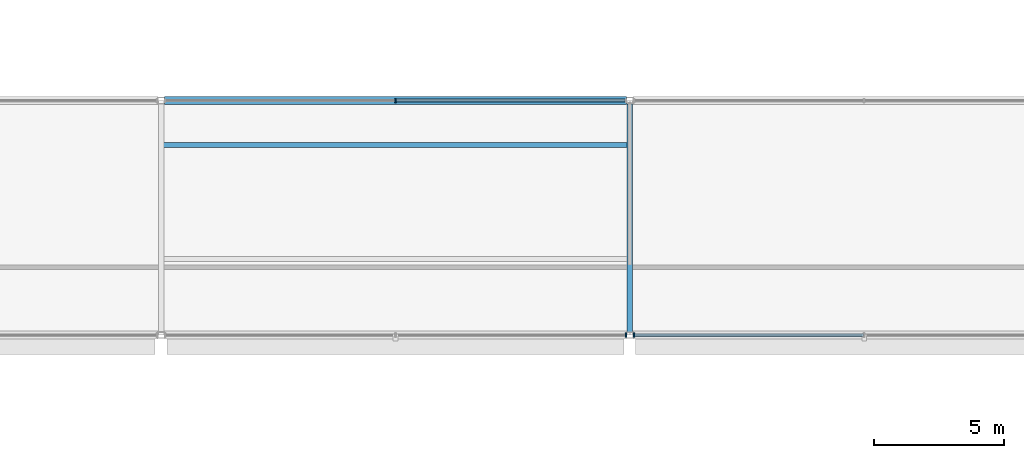
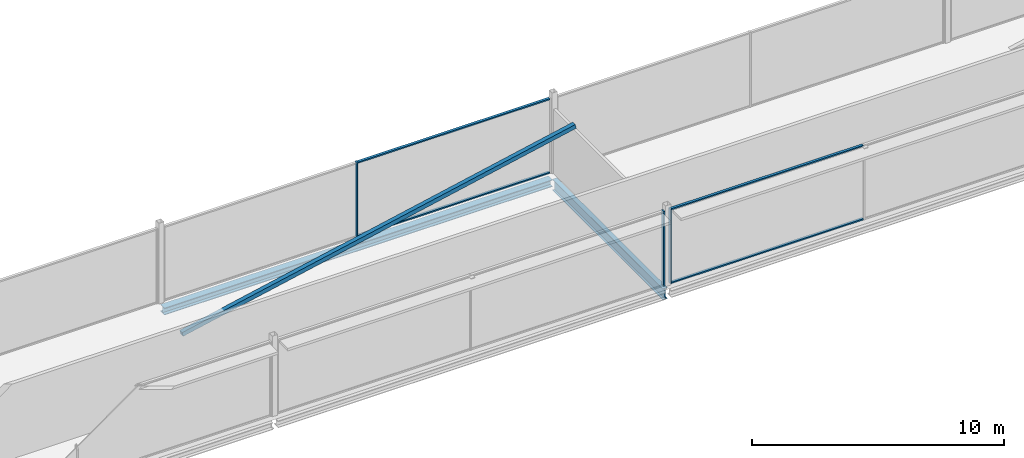
# One storey, part 23 of 98: 8 members, 2 beams, 3 elements without a shape of their own.
"""IFC4 building model written with IfcOpenShell, lengths in metres."""

import ifcopenshell
import ifcopenshell.guid

model = None  # the IFC model being written
_history = None  # IfcOwnerHistory: only IFC2X3 demands one
_inside = {}  # id of a spatial element -> (the spatial element, [elements in it])
_under = {}  # id of a project, library or spatial element -> (it, [spatial elements below it])
_declared = {}  # id of a project -> (the project, [libraries it declares])
_typed = {}  # id of a type object -> (the type object, [elements of that type])
_made_of = {}  # id of a material, layer set ... -> (it, [elements and type objects made of it])


def new_model(schema):
    """Start an empty IFC model of exactly this schema.

    Asked for "IFC4X3", IfcOpenShell would pick the latest addendum, in which some entities
    have other attributes; the version numbers below select the first issue.
    IFC2X3 requires an IfcOwnerHistory on every rooted entity: one is made here for all.
    """
    global model, _history
    if schema == "IFC4X3":
        model = ifcopenshell.file(schema_version=(4, 3, 0, 0))
    else:
        model = ifcopenshell.file(schema=schema)
    _inside.clear()
    _under.clear()
    _declared.clear()
    _typed.clear()
    _made_of.clear()
    _history = None
    if model.schema == "IFC2X3":
        org = make("IfcOrganization", Name="unknown")
        user = make(
            "IfcPersonAndOrganization",
            ThePerson=make("IfcPerson", FamilyName="unknown"),
            TheOrganization=org,
        )
        app = make(
            "IfcApplication",
            ApplicationDeveloper=org,
            Version="unknown",
            ApplicationFullName="unknown",
            ApplicationIdentifier="unknown",
        )
        _history = make(
            "IfcOwnerHistory",
            OwningUser=user,
            OwningApplication=app,
            ChangeAction="ADDED",
            CreationDate=0,
        )
    return model


def make(cls, **values):
    """One entity of the class cls with the attributes given. An attribute that is None is left unset."""
    return model.create_entity(
        cls, **{name: value for name, value in values.items() if value is not None}
    )


def rooted(cls, **values):
    """An entity with a GlobalId (a new one), such as an element, a storey or a relation."""
    return make(cls, GlobalId=ifcopenshell.guid.new(), OwnerHistory=_history, **values)


def si_unit(unit_type, name, prefix=None):
    """IfcSIUnit, for example si_unit("LENGTHUNIT", "METRE", prefix="MILLI")."""
    return make("IfcSIUnit", UnitType=unit_type, Prefix=prefix, Name=name)


def assignment(units):
    """IfcUnitAssignment: the units of a project."""
    return None if units is None else make("IfcUnitAssignment", Units=units)


def point(xyz):
    """IfcCartesianPoint."""
    return None if xyz is None else make("IfcCartesianPoint", Coordinates=xyz)


def direction(xyz):
    """IfcDirection."""
    return None if xyz is None else make("IfcDirection", DirectionRatios=xyz)


def frame(location, z_axis=None, x_axis=None):
    """IfcAxis2Placement3D, a coordinate frame: its origin and axes. An axis left out is left unset."""
    return make(
        "IfcAxis2Placement3D",
        Location=point(location),
        Axis=direction(z_axis),
        RefDirection=direction(x_axis),
    )


def frame_2d(location, x_axis=None):
    """IfcAxis2Placement2D, a coordinate frame in the plane: its origin and x axis."""
    return make(
        "IfcAxis2Placement2D", Location=point(location), RefDirection=direction(x_axis)
    )


def origin():
    """The frame at (0, 0, 0) with its axes left unset."""
    return frame((0.0, 0.0, 0.0))


def origin_2d():
    """The frame at (0, 0) in the plane with its x axis left unset."""
    return frame_2d((0.0, 0.0))


def place(relative_to, where):
    """IfcLocalPlacement: puts the frame where relative to a parent placement (None: the world)."""
    return make(
        "IfcLocalPlacement", PlacementRelTo=relative_to, RelativePlacement=where
    )


def context(
    kind, dimensions, precision=None, world=None, true_north=None, identifier=None
):
    """IfcGeometricRepresentationContext, for example the 3D "Model" context."""
    return make(
        "IfcGeometricRepresentationContext",
        ContextIdentifier=identifier,
        ContextType=kind,
        CoordinateSpaceDimension=dimensions,
        Precision=precision,
        WorldCoordinateSystem=world,
        TrueNorth=true_north,
    )


def subcontext(parent, identifier, kind, view, scale=None):
    """IfcGeometricRepresentationSubContext, for example "Body" below "Model"."""
    return make(
        "IfcGeometricRepresentationSubContext",
        ContextIdentifier=identifier,
        ContextType=kind,
        ParentContext=parent,
        TargetScale=scale,
        TargetView=view,
    )


def project(units=None, contexts=None):
    """IfcProject with its units and contexts."""
    return rooted(
        "IfcProject",
        Name="project",
        RepresentationContexts=contexts,
        UnitsInContext=assignment(units),
    )


def spatial(cls, under=None, at=None, **own):
    """A site, building, storey or space (cls), placed at a placement, below another one or the project."""
    s = rooted(cls, ObjectPlacement=at, **own)
    if under is not None:
        _under.setdefault(under.id(), (under, []))[1].append(s)
    return s


def profile(cls, at=None, kind="AREA", **sizes):
    """A parametric profile (cls). Its sizes go by their IFC names, for example OverallWidth=200.0."""
    return make(cls, ProfileType=kind, Position=at, **sizes)


def rectangle(**sizes):
    """IfcRectangleProfileDef."""
    return profile("IfcRectangleProfileDef", **sizes)


def hollow_rectangle(**sizes):
    """IfcRectangleHollowProfileDef."""
    return profile("IfcRectangleHollowProfileDef", **sizes)


def i_section(**sizes):
    """IfcIShapeProfileDef."""
    return profile("IfcIShapeProfileDef", **sizes)


def extrude(swept, where, along, depth):
    """IfcExtrudedAreaSolid: the profile swept, set in the frame where, extruded along a direction by depth."""
    return make(
        "IfcExtrudedAreaSolid",
        SweptArea=swept,
        Position=where,
        ExtrudedDirection=direction(along),
        Depth=depth,
    )


def shape(context_of_items, identifier, shape_type, items):
    """IfcShapeRepresentation: the items that make up one representation, for example the "Body"."""
    return make(
        "IfcShapeRepresentation",
        ContextOfItems=context_of_items,
        RepresentationIdentifier=identifier,
        RepresentationType=shape_type,
        Items=items,
    )


def material(Name=None, Category=None):
    """IfcMaterial."""
    return make("IfcMaterial", Name=Name, Category=Category)


def layer(
    of_material, thickness, ventilated=None, Name=None, Category=None, Priority=None
):
    """IfcMaterialLayer: one layer of a wall or slab, of a material (None: an air gap)."""
    return make(
        "IfcMaterialLayer",
        Material=of_material,
        LayerThickness=thickness,
        IsVentilated=ventilated,
        Name=Name,
        Category=Category,
        Priority=Priority,
    )


def layer_set(layers, Name=None):
    """IfcMaterialLayerSet."""
    return make("IfcMaterialLayerSet", MaterialLayers=layers, LayerSetName=Name)


def material_profile(
    of_material, cross_section, Name=None, Category=None, Priority=None
):
    """IfcMaterialProfile: a cross section and its material."""
    return make(
        "IfcMaterialProfile",
        Name=Name,
        Material=of_material,
        Profile=cross_section,
        Priority=Priority,
        Category=Category,
    )


def profile_set(profiles, Name=None, composite=None):
    """IfcMaterialProfileSet."""
    return make(
        "IfcMaterialProfileSet",
        Name=Name,
        MaterialProfiles=profiles,
        CompositeProfile=composite,
    )


def made_of(thing, what):
    """Note that an element or type object is made of a material, layer set ...; save() writes the relation."""
    if what is not None:
        _made_of.setdefault(what.id(), (what, []))[1].append(thing)
    return thing


def type_object(cls, material=None, **own):
    """A type object (cls), such as IfcWallType, which elements share."""
    return made_of(rooted(cls, **own), material)


def element(
    cls,
    number,
    at=None,
    inside=None,
    cuts=None,
    type_object=None,
    material=None,
    context=None,
    identifier="Body",
    shape_type=None,
    held_by="IfcProductDefinitionShape",
    body=None,
    shapes=None,
    **own,
):
    """One element of the class cls, such as IfcWall. Its Tag is "e" and its number.

    at: its placement. inside: the storey or other place that contains it. cuts: it is an
    opening in that element (IfcRelVoidsElement). A single representation is given by context,
    identifier, shape_type and body (its items); several are given by shapes. held_by: the class
    of the entity that holds the representations. save() writes the other relations.
    """
    e = rooted(cls, Tag="e%d" % number, ObjectPlacement=at, **own)
    if body is not None:
        shapes = [shape(context, identifier, shape_type, body)]
    if shapes is not None:
        e.Representation = make(held_by, Representations=shapes)
    if inside is not None:
        _inside.setdefault(inside.id(), (inside, []))[1].append(e)
    if cuts is not None:
        rooted(
            "IfcRelVoidsElement", RelatingBuildingElement=cuts, RelatedOpeningElement=e
        )
    if type_object is not None:
        _typed.setdefault(type_object.id(), (type_object, []))[1].append(e)
    return made_of(e, material)


def aggregate(whole, parts):
    """IfcRelAggregates: a whole, such as a stair, and the parts it consists of."""
    return rooted("IfcRelAggregates", RelatingObject=whole, RelatedObjects=parts)


def save(model, path):
    """Write the relations noted so far, then the file.

    IfcRelAggregates (storeys below a building ...), IfcRelContainedInSpatialStructure (elements
    in a storey), IfcRelDefinesByType, IfcRelAssociatesMaterial and IfcRelDeclares: one each for
    every whole, place, type object, material and project.
    """
    for whole, parts in _under.values():
        aggregate(whole, parts)
    for where, things in _inside.values():
        rooted(
            "IfcRelContainedInSpatialStructure",
            RelatedElements=things,
            RelatingStructure=where,
        )
    for kind, things in _typed.values():
        rooted("IfcRelDefinesByType", RelatedObjects=things, RelatingType=kind)
    for what, things in _made_of.values():
        rooted("IfcRelAssociatesMaterial", RelatedObjects=things, RelatingMaterial=what)
    for by, libraries in _declared.values():
        rooted("IfcRelDeclares", RelatingContext=by, RelatedDefinitions=libraries)
    model.write(path)


model = new_model("IFC4")

# Units and contexts
model_context = context("Model", 3, precision=1e-05, world=origin(), true_north=direction((0.0, 1.0)))
body_context = subcontext(model_context, "Body", "Model", "MODEL_VIEW")
ifc_project = project(units=[si_unit("LENGTHUNIT", "METRE"), si_unit("AREAUNIT", "SQUARE_METRE"), si_unit("VOLUMEUNIT", "CUBIC_METRE"), si_unit("PLANEANGLEUNIT", "RADIAN"), si_unit("MASSUNIT", "GRAM", prefix="KILO")], contexts=[model_context])

# Site, building, storey
site_placement = place(None, origin())
site = spatial("IfcSite", under=ifc_project, at=site_placement, CompositionType="ELEMENT")
building_placement = place(site_placement, origin())
building = spatial("IfcBuilding", under=site, at=building_placement, Name="Kisiwana Market Hall", CompositionType="ELEMENT")
storey_placement = place(building_placement, frame((0.0, 0.0, 29.39990234375)))
storey = spatial("IfcBuildingStorey", under=building, at=storey_placement, Name="L06", CompositionType="ELEMENT", Elevation=29.39990234375)

# Beams
ifc_material_1 = material(Name="Steel S355", Category="steel")
ifc_material_profile_1 = material_profile(ifc_material_1, i_section(OverallWidth=0.209228515625, OverallDepth=0.533203125, WebThickness=0.010009765625, FlangeThickness=0.015625, at=origin_2d()), Name="UB 533x210x92")
ifc_profile_set_1 = profile_set([ifc_material_profile_1], Name="Steel S355")
beam_type_1 = type_object("IfcBeamType", Name="BM-GIRD-UB533", PredefinedType="BEAM", material=ifc_profile_set_1)
beam_1_placement = place(storey_placement, frame((99.0, 18.12109375, -0.531494140625), z_axis=(0.0, 1.0, 0.0), x_axis=(-1.0, 0.0, 0.0)))
element("IfcBeam", 1, at=beam_1_placement, inside=storey, type_object=beam_type_1, Name="Primary girder B-1723", PredefinedType="BEAM", context=body_context, shape_type="SweptSolid", body=[
    extrude(i_section(OverallWidth=0.209228515625, OverallDepth=0.533203125, WebThickness=0.010009765625, FlangeThickness=0.015625, at=origin_2d()), origin(), (0.0, 0.0, 1.0), 8.7578125),
])
ifc_material_2 = material(Name="Steel S355", Category="steel")
ifc_material_profile_2 = material_profile(ifc_material_2, i_section(OverallWidth=0.314453125, OverallDepth=0.33984375, WebThickness=0.01904296875, FlangeThickness=0.031494140625, at=origin_2d()), Name="UC 305x305x198")
ifc_profile_set_2 = profile_set([ifc_material_profile_2], Name="Steel S355")
beam_type_2 = type_object("IfcBeamType", Name="BM-SKYBR-CHORD", PredefinedType="BEAM", material=ifc_profile_set_2)
beam_2_placement = place(storey_placement, frame((81.12109375, 27.0, -0.434814453125), z_axis=(1.0, 0.0, 0.0), x_axis=(0.0, 1.0, 0.0)))
element("IfcBeam", 2, at=beam_2_placement, inside=storey, type_object=beam_type_2, Name="Floor beam B-1799", PredefinedType="BEAM", context=body_context, shape_type="SweptSolid", body=[
    extrude(i_section(OverallWidth=0.314453125, OverallDepth=0.33984375, WebThickness=0.01904296875, FlangeThickness=0.031494140625, at=origin_2d()), origin(), (0.0, 0.0, 1.0), 17.7578125),
])

# Curtain wall, member
ifc_material_3 = material(Name="Double-glazed solar-control low-E IGU", Category="glass")
ifc_layer = layer(ifc_material_3, 0.159912109375)
ifc_layer_set = layer_set([ifc_layer], Name="CW-ZNA-EW-8200")
curtain_wall_type = type_object("IfcCurtainWallType", Name="CW-ZNA-EW-8200", PredefinedType="USERDEFINED", material=ifc_layer_set)
curtain_wall_1_placement = place(storey_placement, origin())
curtain_wall_1 = element("IfcCurtainWall", 3, at=curtain_wall_1_placement, inside=storey, type_object=curtain_wall_type, Name="Unitised curtain wall CW-174 (L06)", ObjectType="UNITISED CURTAIN WALL", PredefinedType="USERDEFINED")
ifc_material_4 = material(Name="Aluminium alloy 6063-T6", Category="aluminium")
ifc_material_profile_3 = material_profile(ifc_material_4, rectangle(XDim=0.06005859375, YDim=0.159912109375, at=origin_2d()), Name="ALU MULLION 60x160")
ifc_profile_set_3 = profile_set([ifc_material_profile_3], Name="Aluminium alloy 6063-T6")
member_type_1 = type_object("IfcMemberType", Name="CW-MULL-60x160", PredefinedType="MULLION", material=ifc_profile_set_3)
member_1_placement = place(storey_placement, frame((98.844970703125, 18.0, 0.0), z_axis=(0.0, 0.0, 1.0), x_axis=(1.0, 0.0, 0.0)))
member_1 = element("IfcMember", 4, at=member_1_placement, type_object=member_type_1, Name="CW-174 mullion 3", PredefinedType="MULLION", context=body_context, shape_type="SweptSolid", body=[
    extrude(rectangle(XDim=0.06005859375, YDim=0.159912109375, at=origin_2d()), origin(), (0.0, 0.0, 1.0), 3.6201171875),
])
aggregate(curtain_wall_1, [member_1])

curtain_wall_2_placement = place(storey_placement, origin())
curtain_wall_2 = element("IfcCurtainWall", 5, at=curtain_wall_2_placement, inside=storey, type_object=curtain_wall_type, Name="Unitised curtain wall CW-175 (L06)", ObjectType="UNITISED CURTAIN WALL", PredefinedType="USERDEFINED")
member_2_placement = place(storey_placement, frame((99.155029296875, 18.0, 0.0), z_axis=(0.0, 0.0, 1.0), x_axis=(1.0, 0.0, 0.0)))
member_2 = element("IfcMember", 6, at=member_2_placement, type_object=member_type_1, Name="CW-175 mullion 1", PredefinedType="MULLION", context=body_context, shape_type="SweptSolid", body=[
    extrude(rectangle(XDim=0.06005859375, YDim=0.159912109375, at=origin_2d()), origin(), (0.0, 0.0, 1.0), 3.6201171875),
])

curtain_wall_3_placement = place(storey_placement, origin())
curtain_wall_3 = element("IfcCurtainWall", 7, at=curtain_wall_3_placement, inside=storey, type_object=curtain_wall_type, Name="Unitised curtain wall CW-180 (L06)", ObjectType="UNITISED CURTAIN WALL", PredefinedType="USERDEFINED")
member_3_placement = place(storey_placement, frame((90.0, 27.0, 0.0), z_axis=(0.0, 0.0, 1.0), x_axis=(1.0, 0.0, 0.0)))
member_3 = element("IfcMember", 8, at=member_3_placement, type_object=member_type_1, Name="CW-180 mullion 2", PredefinedType="MULLION", context=body_context, shape_type="SweptSolid", body=[
    extrude(rectangle(XDim=0.06005859375, YDim=0.159912109375, at=origin_2d()), origin(), (0.0, 0.0, 1.0), 3.6201171875),
])

# Member
ifc_material_5 = material(Name="Aluminium alloy 6063-T6", Category="aluminium")
ifc_material_profile_4 = material_profile(ifc_material_5, rectangle(XDim=0.1201171875, YDim=0.06005859375, at=origin_2d()), Name="ALU TRANSOM 60x120")
ifc_profile_set_4 = profile_set([ifc_material_profile_4], Name="Aluminium alloy 6063-T6")
member_type_2 = type_object("IfcMemberType", Name="CW-TRAN-60x120", PredefinedType="USERDEFINED", material=ifc_profile_set_4)
member_4_placement = place(storey_placement, frame((99.18505859375, 18.0, 0.030029296875), z_axis=(1.0, 0.0, 0.0), x_axis=(0.0, 1.0, 0.0)))
member_4 = element("IfcMember", 9, at=member_4_placement, type_object=member_type_2, Name="CW-175 transom 1.1", ObjectType="TRANSOM", PredefinedType="USERDEFINED", context=body_context, shape_type="SweptSolid", body=[
    extrude(rectangle(XDim=0.1201171875, YDim=0.06005859375, at=origin_2d()), origin(), (0.0, 0.0, 1.0), 8.784912109375),
])

member_5_placement = place(storey_placement, frame((99.18505859375, 18.0, 3.590087890625), z_axis=(1.0, 0.0, 0.0), x_axis=(0.0, 1.0, 0.0)))
member_5 = element("IfcMember", 10, at=member_5_placement, type_object=member_type_2, Name="CW-175 transom 1.2", ObjectType="TRANSOM", PredefinedType="USERDEFINED", context=body_context, shape_type="SweptSolid", body=[
    extrude(rectangle(XDim=0.1201171875, YDim=0.06005859375, at=origin_2d()), origin(), (0.0, 0.0, 1.0), 8.784912109375),
])

aggregate(curtain_wall_2, [member_2, member_4, member_5])

member_6_placement = place(storey_placement, frame((90.030029296875, 27.0, 0.030029296875), z_axis=(1.0, 0.0, 0.0), x_axis=(0.0, 1.0, 0.0)))
member_6 = element("IfcMember", 11, at=member_6_placement, type_object=member_type_2, Name="CW-180 transom 2.1", ObjectType="TRANSOM", PredefinedType="USERDEFINED", context=body_context, shape_type="SweptSolid", body=[
    extrude(rectangle(XDim=0.1201171875, YDim=0.06005859375, at=origin_2d()), origin(), (0.0, 0.0, 1.0), 8.784912109375),
])

member_7_placement = place(storey_placement, frame((90.030029296875, 27.0, 3.590087890625), z_axis=(1.0, 0.0, 0.0), x_axis=(0.0, 1.0, 0.0)))
member_7 = element("IfcMember", 12, at=member_7_placement, type_object=member_type_2, Name="CW-180 transom 2.2", ObjectType="TRANSOM", PredefinedType="USERDEFINED", context=body_context, shape_type="SweptSolid", body=[
    extrude(rectangle(XDim=0.1201171875, YDim=0.06005859375, at=origin_2d()), origin(), (0.0, 0.0, 1.0), 8.784912109375),
])

aggregate(curtain_wall_3, [member_3, member_6, member_7])

ifc_material_6 = material(Name="Steel S355", Category="steel")
ifc_material_profile_5 = material_profile(ifc_material_6, hollow_rectangle(XDim=0.199951171875, YDim=0.199951171875, WallThickness=0.010009765625, at=origin_2d()), Name="SHS 200x200x10.0")
ifc_profile_set_5 = profile_set([ifc_material_profile_5], Name="Steel S355")
member_type_3 = type_object("IfcMemberType", Name="MB-SKY-DIAG200", PredefinedType="BRACE", material=ifc_profile_set_5)
member_8_placement = place(storey_placement, frame((81.0, 25.300048828125, -0.5), z_axis=(0.978762510891, 0.0, 0.204997432362), x_axis=(0.0, 1.0, 0.0)))
element("IfcMember", 13, at=member_8_placement, inside=storey, type_object=member_type_3, Name="Skybridge truss diagonal L06 grids 10 to 12 M-0497", PredefinedType="BRACE", context=body_context, shape_type="SweptSolid", body=[
    extrude(hollow_rectangle(XDim=0.199951171875, YDim=0.199951171875, WallThickness=0.010009765625, at=origin_2d()), origin(), (0.0, 0.0, 1.0), 18.390625),
])

save(model, "model.ifc")
